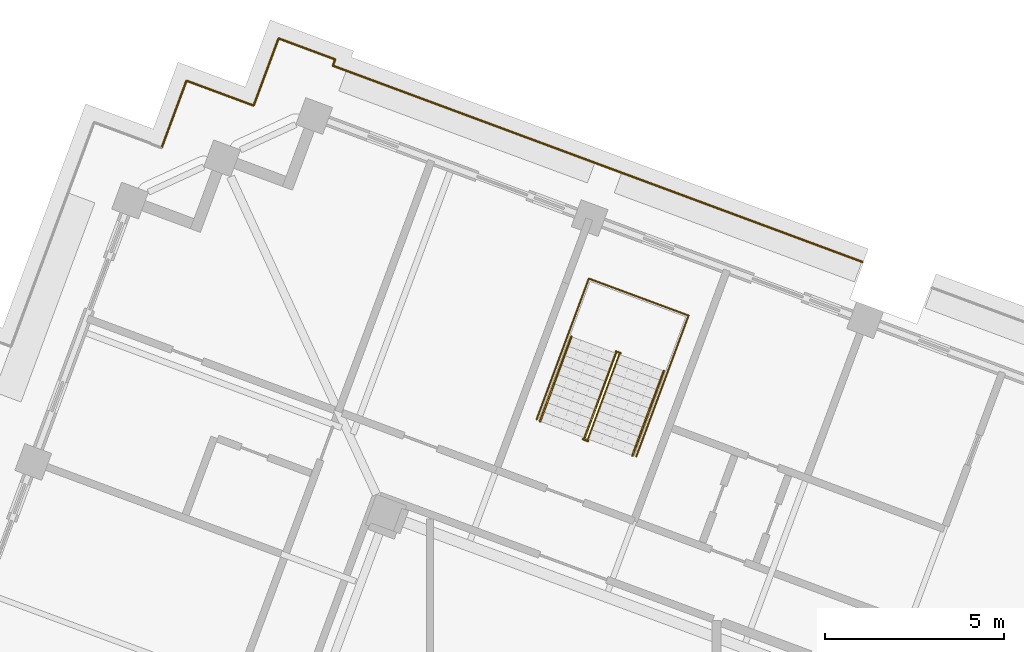
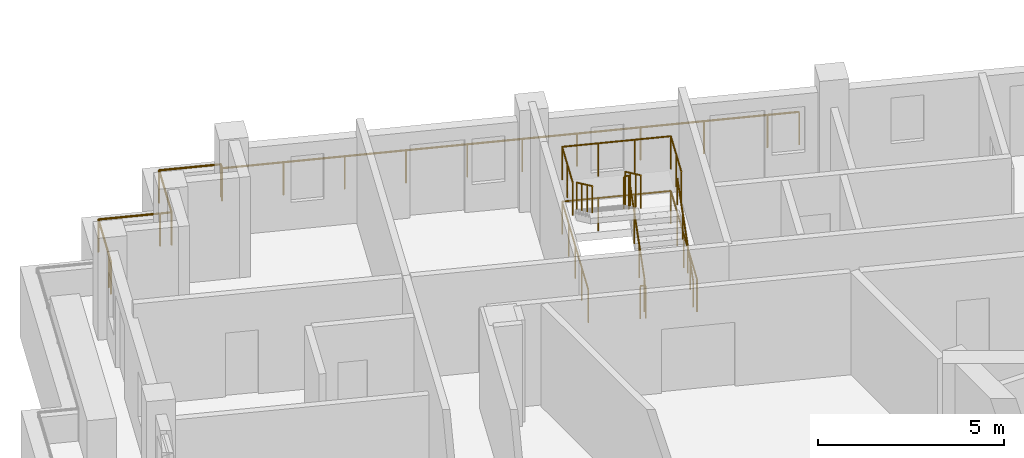
# One storey, part 16 of 18: 8 railings.
"""IFC4 building model written with IfcOpenShell, lengths in metres."""

from ifc_helpers import new_model, si_unit, direction, frame, origin, origin_2d, place, context, subcontext, project, spatial, circle, extrude, material, type_object, element, save


model = new_model("IFC4")

# Units and contexts
model_context = context("Model", 3, precision=1e-05, world=origin(), true_north=direction((0.0, 1.0)))
body_context = subcontext(model_context, "Body", "Model", "MODEL_VIEW")
ifc_project = project(units=[si_unit("LENGTHUNIT", "METRE"), si_unit("AREAUNIT", "SQUARE_METRE"), si_unit("VOLUMEUNIT", "CUBIC_METRE"), si_unit("PLANEANGLEUNIT", "RADIAN"), si_unit("MASSUNIT", "GRAM", prefix="KILO")], contexts=[model_context])

# Site, building, storey
site_placement = place(None, origin())
site = spatial("IfcSite", under=ifc_project, at=site_placement, CompositionType="ELEMENT")
building_placement = place(site_placement, origin())
building = spatial("IfcBuilding", under=site, at=building_placement, Name="Cantera Rosa Tower", CompositionType="ELEMENT")
storey_placement = place(building_placement, frame((0.0, 0.0, 316.89990234375)))
storey = spatial("IfcBuildingStorey", under=building, at=storey_placement, Name="L70", CompositionType="ELEMENT", Elevation=316.89990234375)

# Railings
ifc_material_1 = material(Name="Stainless steel and laminated glass", Category="steel")
railing_type_1 = type_object("IfcRailingType", Name="GUARD 1100", PredefinedType="BALUSTRADE", material=ifc_material_1)
railing_1_placement = place(storey_placement, frame((-11.490478515625, 26.799560546875, 0.0)))
element("IfcRailing", 1, at=railing_1_placement, inside=storey, type_object=railing_type_1, Name="GUARD L70-3", PredefinedType="BALUSTRADE", context=body_context, shape_type="SweptSolid", body=[
    extrude(circle(Radius=0.030029296875, at=origin_2d()), frame((0.0, 0.0, 1.070068359375), z_axis=(0.346933448503, 0.937889749549, 0.0), x_axis=(-0.937889749549, 0.346933448503, 0.0)), (0.0, 0.0, 1.0), 0.313232421875),
    extrude(circle(Radius=0.030029296875, at=origin_2d()), frame((0.108642578125, 0.293701171875, 1.070068359375), z_axis=(0.347488755066, 0.937684149969, 0.0), x_axis=(-0.937684149969, 0.347488755066, 0.0)), (0.0, 0.0, 1.0), 1.68701171875),
    extrude(circle(Radius=0.030029296875, at=origin_2d()), frame((0.69482421875, 1.87548828125, 1.070068359375), z_axis=(0.937684149969, -0.347488755066, 0.0), x_axis=(0.347488755066, 0.937684149969, 0.0)), (0.0, 0.0, 1.0), 1.68701171875),
    extrude(circle(Radius=0.030029296875, at=origin_2d()), frame((2.276611328125, 1.289306640625, 1.070068359375), z_axis=(0.937635888853, -0.347618957962, 0.0), x_axis=(0.347618957962, 0.937635888853, 0.0)), (0.0, 0.0, 1.0), 0.313232421875),
    extrude(circle(Radius=0.030029296875, at=origin_2d()), frame((2.5703125, 1.180419921875, 1.070068359375), z_axis=(0.347401818267, 0.937716362588, 0.0), x_axis=(-0.937716362588, 0.347401818267, 0.0)), (0.0, 0.0, 1.0), 2.0),
    extrude(circle(Radius=0.030029296875, at=origin_2d()), frame((3.26513671875, 3.055908203125, 1.070068359375), z_axis=(0.937684149969, -0.347488755066, 0.0), x_axis=(0.347488755066, 0.937684149969, 0.0)), (0.0, 0.0, 1.0), 1.68701171875),
    extrude(circle(Radius=0.030029296875, at=origin_2d()), frame((4.846923828125, 2.4697265625, 1.070068359375), z_axis=(-0.347399426404, -0.937717248713, 0.0), x_axis=(0.937717248713, -0.347399426404, 0.0)), (0.0, 0.0, 1.0), 0.18701171875),
    extrude(circle(Radius=0.030029296875, at=origin_2d()), frame((4.781982421875, 2.29443359375, 1.070068359375), z_axis=(0.937686328856, -0.347482875373, 0.0), x_axis=(0.347482875373, 0.937686328856, 0.0)), (0.0, 0.0, 1.0), 6.699951171875),
    extrude(circle(Radius=0.030029296875, at=origin_2d()), frame((11.064453125, -0.03369140625, 1.070068359375), z_axis=(0.93768985062, -0.347473371704, 0.0), x_axis=(0.347473371704, 0.93768985062, 0.0)), (0.0, 0.0, 1.0), 3.000244140625),
    extrude(circle(Radius=0.030029296875, at=origin_2d()), frame((13.877685546875, -1.076171875, 1.070068359375), z_axis=(0.937688147358, -0.347477968085, 0.0), x_axis=(0.347477968085, 0.937688147358, 0.0)), (0.0, 0.0, 1.0), 5.199951171875),
    extrude(circle(Radius=0.030029296875, at=origin_2d()), frame((18.753662109375, -2.883056640625, 1.070068359375), z_axis=(0.937694580373, -0.347460607753, 0.0), x_axis=(0.347460607753, 0.937694580373, 0.0)), (0.0, 0.0, 1.0), 0.869873046875),
    extrude(circle(Radius=0.02490234375, at=origin_2d()), origin(), (0.0, 0.0, 1.0), 1.0400390625),
    extrude(circle(Radius=0.02490234375, at=origin_2d()), frame((0.108642578125, 0.293701171875, 0.0)), (0.0, 0.0, 1.0), 1.0400390625),
    extrude(circle(Radius=0.02490234375, at=origin_2d()), frame((0.69482421875, 1.87548828125, 0.0)), (0.0, 0.0, 1.0), 1.0400390625),
    extrude(circle(Radius=0.02490234375, at=origin_2d()), frame((2.276611328125, 1.289306640625, 0.0)), (0.0, 0.0, 1.0), 1.0400390625),
    extrude(circle(Radius=0.02490234375, at=origin_2d()), frame((2.5703125, 1.180419921875, 0.0)), (0.0, 0.0, 1.0), 1.0400390625),
    extrude(circle(Radius=0.02490234375, at=origin_2d()), frame((3.26513671875, 3.055908203125, 0.0)), (0.0, 0.0, 1.0), 1.0400390625),
    extrude(circle(Radius=0.02490234375, at=origin_2d()), frame((4.846923828125, 2.4697265625, 0.0)), (0.0, 0.0, 1.0), 1.0400390625),
    extrude(circle(Radius=0.02490234375, at=origin_2d()), frame((4.781982421875, 2.29443359375, 0.0)), (0.0, 0.0, 1.0), 1.0400390625),
    extrude(circle(Radius=0.02490234375, at=origin_2d()), frame((6.3525390625, 1.71240234375, 0.0)), (0.0, 0.0, 1.0), 1.0400390625),
    extrude(circle(Radius=0.02490234375, at=origin_2d()), frame((7.92333984375, 1.13037109375, 0.0)), (0.0, 0.0, 1.0), 1.0400390625),
    extrude(circle(Radius=0.02490234375, at=origin_2d()), frame((9.493896484375, 0.54833984375, 0.0)), (0.0, 0.0, 1.0), 1.0400390625),
    extrude(circle(Radius=0.02490234375, at=origin_2d()), frame((11.064453125, -0.03369140625, 0.0)), (0.0, 0.0, 1.0), 1.0400390625),
    extrude(circle(Radius=0.02490234375, at=origin_2d()), frame((12.47119140625, -0.554931640625, 0.0)), (0.0, 0.0, 1.0), 1.0400390625),
    extrude(circle(Radius=0.02490234375, at=origin_2d()), frame((13.877685546875, -1.076171875, 0.0)), (0.0, 0.0, 1.0), 1.0400390625),
    extrude(circle(Radius=0.02490234375, at=origin_2d()), frame((15.5029296875, -1.678466796875, 0.0)), (0.0, 0.0, 1.0), 1.0400390625),
    extrude(circle(Radius=0.02490234375, at=origin_2d()), frame((17.12841796875, -2.28076171875, 0.0)), (0.0, 0.0, 1.0), 1.0400390625),
    extrude(circle(Radius=0.02490234375, at=origin_2d()), frame((18.753662109375, -2.883056640625, 0.0)), (0.0, 0.0, 1.0), 1.0400390625),
    extrude(circle(Radius=0.02490234375, at=origin_2d()), frame((19.5693359375, -3.185302734375, 0.0)), (0.0, 0.0, 1.0), 1.0400390625),
])
ifc_material_2 = material(Name="Steel S355J2 (EN 10025-2)", Category="steel")
railing_type_2 = type_object("IfcRailingType", Name="STAIR GUARD 1100", PredefinedType="GUARDRAIL", material=ifc_material_2)
railing_2_placement = place(storey_placement, frame((0.412109375, 18.670166015625, 0.18017578125)))
element("IfcRailing", 2, at=railing_2_placement, inside=storey, type_object=railing_type_2, Name="L70 ST-62 stair guard 1", PredefinedType="GUARDRAIL", context=body_context, shape_type="SweptSolid", body=[
    extrude(circle(Radius=0.02392578125, at=origin_2d()), frame((0.0, 0.0, 1.076171875), z_axis=(0.292319685639, 0.78878233546, 0.540713998944), x_axis=(-0.937679794265, 0.347500508527, 0.0)), (0.0, 0.0, 1.0), 2.995849609375),
    extrude(circle(Radius=0.02392578125, at=origin_2d()), frame((0.875732421875, 2.363037109375, 2.69580078125), z_axis=(0.740919573429, 0.671593765389, 0.0), x_axis=(-0.671593765389, 0.740919573429, 0.0)), (0.0, 0.0, 1.0), 0.056396484375),
    extrude(circle(Radius=0.02392578125, at=origin_2d()), frame((0.91748046875, 2.40087890625, 2.69580078125), z_axis=(-0.937925419525, 0.346837004095, 0.0), x_axis=(-0.346837004095, -0.937925419525, 0.0)), (0.0, 0.0, 1.0), 0.14990234375),
    extrude(circle(Radius=0.02099609375, at=origin_2d()), origin(), (0.0, 0.0, 1.0), 1.052001953125),
    extrude(circle(Radius=0.02099609375, at=origin_2d()), frame((0.2919921875, 0.78759765625, 0.5400390625)), (0.0, 0.0, 1.0), 1.052001953125),
    extrude(circle(Radius=0.02099609375, at=origin_2d()), frame((0.583740234375, 1.575439453125, 1.079833984375)), (0.0, 0.0, 1.0), 1.052001953125),
    extrude(circle(Radius=0.02099609375, at=origin_2d()), frame((0.875732421875, 2.363037109375, 1.619873046875)), (0.0, 0.0, 1.0), 1.052001953125),
    extrude(circle(Radius=0.02099609375, at=origin_2d()), frame((0.91748046875, 2.40087890625, 1.619873046875)), (0.0, 0.0, 1.0), 1.052001953125),
    extrude(circle(Radius=0.02099609375, at=origin_2d()), frame((0.77685546875, 2.452880859375, 1.619873046875)), (0.0, 0.0, 1.0), 1.052001953125),
])
railing_3_placement = place(storey_placement, frame((1.196044921875, 21.067138671875, 1.97998046875)))
element("IfcRailing", 3, at=railing_3_placement, inside=storey, type_object=railing_type_2, Name="L70 ST-62 stair guard 2", PredefinedType="GUARDRAIL", context=body_context, shape_type="SweptSolid", body=[
    extrude(circle(Radius=0.02392578125, at=origin_2d()), frame((0.0, 0.0, 1.076171875), z_axis=(-0.292306804437, -0.788747577403, 0.540771662738), x_axis=(0.937679794265, -0.347500508527, 0.0)), (0.0, 0.0, 1.0), 2.995849609375),
    extrude(circle(Radius=0.02099609375, at=origin_2d()), origin(), (0.0, 0.0, 1.0), 1.052001953125),
    extrude(circle(Radius=0.02099609375, at=origin_2d()), frame((-0.2919921875, -0.78759765625, 0.5400390625)), (0.0, 0.0, 1.0), 1.052001953125),
    extrude(circle(Radius=0.02099609375, at=origin_2d()), frame((-0.583740234375, -1.575439453125, 1.080078125)), (0.0, 0.0, 1.0), 1.052001953125),
    extrude(circle(Radius=0.02099609375, at=origin_2d()), frame((-0.875732421875, -2.363037109375, 1.6201171875)), (0.0, 0.0, 1.0), 1.052001953125),
])
railing_4_placement = place(storey_placement, frame((0.419189453125, 18.6142578125, 0.0)))
element("IfcRailing", 4, at=railing_4_placement, inside=storey, type_object=railing_type_2, Name="L70 ST-62 stair guard 3", PredefinedType="GUARDRAIL", context=body_context, shape_type="SweptSolid", body=[
    extrude(circle(Radius=0.02392578125, at=origin_2d()), frame((0.0, 0.0, 1.076171875), z_axis=(-0.937925419525, 0.346837004095, 0.0), x_axis=(-0.346837004095, -0.937925419525, 0.0)), (0.0, 0.0, 1.0), 0.14990234375),
    extrude(circle(Radius=0.02099609375, at=origin_2d()), origin(), (0.0, 0.0, 1.0), 1.052001953125),
    extrude(circle(Radius=0.02099609375, at=origin_2d()), frame((-0.140625, 0.052001953125, 0.0)), (0.0, 0.0, 1.0), 1.052001953125),
])
railing_5_placement = place(storey_placement, frame((1.762939453125, 18.182373046875, 0.0)))
element("IfcRailing", 5, at=railing_5_placement, inside=storey, type_object=railing_type_2, Name="L70 ST-62 stair guard 4", PredefinedType="GUARDRAIL", context=body_context, shape_type="SweptSolid", body=[
    extrude(circle(Radius=0.02392578125, at=origin_2d()), frame((0.0, 0.0, 1.076171875), z_axis=(0.347475346394, 0.937689118871, 0.0), x_axis=(-0.937689118871, 0.347475346394, 0.0)), (0.0, 0.0, 1.0), 4.197998046875),
    extrude(circle(Radius=0.02392578125, at=origin_2d()), frame((1.458740234375, 3.9365234375, 1.076171875), z_axis=(-0.937690243436, 0.347472311651, 0.0), x_axis=(-0.347472311651, -0.937690243436, 0.0)), (0.0, 0.0, 1.0), 2.969970703125),
    extrude(circle(Radius=0.02392578125, at=origin_2d()), frame((-1.326171875, 4.968505859375, 1.076171875), z_axis=(-0.347475346394, -0.937689118871, 0.0), x_axis=(0.937689118871, -0.347475346394, 0.0)), (0.0, 0.0, 1.0), 4.197998046875),
    extrude(circle(Radius=0.02099609375, at=origin_2d()), origin(), (0.0, 0.0, 1.0), 1.052001953125),
    extrude(circle(Radius=0.02099609375, at=origin_2d()), frame((0.36474609375, 0.984130859375, 0.0)), (0.0, 0.0, 1.0), 1.052001953125),
    extrude(circle(Radius=0.02099609375, at=origin_2d()), frame((0.7294921875, 1.96826171875, 0.0)), (0.0, 0.0, 1.0), 1.052001953125),
    extrude(circle(Radius=0.02099609375, at=origin_2d()), frame((1.093994140625, 2.952392578125, 0.0)), (0.0, 0.0, 1.0), 1.052001953125),
    extrude(circle(Radius=0.02099609375, at=origin_2d()), frame((1.458740234375, 3.9365234375, 0.0)), (0.0, 0.0, 1.0), 1.052001953125),
    extrude(circle(Radius=0.02099609375, at=origin_2d()), frame((0.530517578125, 4.280517578125, 0.0)), (0.0, 0.0, 1.0), 1.052001953125),
    extrude(circle(Radius=0.02099609375, at=origin_2d()), frame((-0.39794921875, 4.62451171875, 0.0)), (0.0, 0.0, 1.0), 1.052001953125),
    extrude(circle(Radius=0.02099609375, at=origin_2d()), frame((-1.326171875, 4.968505859375, 0.0)), (0.0, 0.0, 1.0), 1.052001953125),
    extrude(circle(Radius=0.02099609375, at=origin_2d()), frame((-1.69091796875, 3.984375, 0.0)), (0.0, 0.0, 1.0), 1.052001953125),
    extrude(circle(Radius=0.02099609375, at=origin_2d()), frame((-2.0556640625, 3.000244140625, 0.0)), (0.0, 0.0, 1.0), 1.052001953125),
    extrude(circle(Radius=0.02099609375, at=origin_2d()), frame((-2.420166015625, 2.01611328125, 0.0)), (0.0, 0.0, 1.0), 1.052001953125),
    extrude(circle(Radius=0.02099609375, at=origin_2d()), frame((-2.784912109375, 1.031982421875, 0.0)), (0.0, 0.0, 1.0), 1.052001953125),
])
railing_6_placement = place(storey_placement, frame((2.630126953125, 20.52294921875, 1.800048828125)))
element("IfcRailing", 6, at=railing_6_placement, inside=storey, type_object=railing_type_2, Name="L70 ST-62 stair guard 5", PredefinedType="GUARDRAIL", context=body_context, shape_type="SweptSolid", body=[
    extrude(circle(Radius=0.02392578125, at=origin_2d()), frame((0.0, 0.0, 1.076171875), z_axis=(0.347552602091, 0.937660486946, 0.0), x_axis=(-0.937660486946, 0.347552602091, 0.0)), (0.0, 0.0, 1.0), 1.7021484375),
    extrude(circle(Radius=0.02392578125, at=origin_2d()), frame((0.591552734375, 1.595947265625, 1.076171875), z_axis=(-0.937690243436, 0.347472311651, 0.0), x_axis=(-0.347472311651, -0.937690243436, 0.0)), (0.0, 0.0, 1.0), 2.969970703125),
    extrude(circle(Radius=0.02392578125, at=origin_2d()), frame((-2.193359375, 2.6279296875, 1.076171875), z_axis=(-0.347552602091, -0.937660486946, 0.0), x_axis=(0.937660486946, -0.347552602091, 0.0)), (0.0, 0.0, 1.0), 1.7021484375),
    extrude(circle(Radius=0.02099609375, at=origin_2d()), origin(), (0.0, 0.0, 1.0), 1.052001953125),
    extrude(circle(Radius=0.02099609375, at=origin_2d()), frame((0.2958984375, 0.7978515625, 0.0)), (0.0, 0.0, 1.0), 1.052001953125),
    extrude(circle(Radius=0.02099609375, at=origin_2d()), frame((0.591552734375, 1.595947265625, 0.0)), (0.0, 0.0, 1.0), 1.052001953125),
    extrude(circle(Radius=0.02099609375, at=origin_2d()), frame((-0.336669921875, 1.93994140625, 0.0)), (0.0, 0.0, 1.0), 1.052001953125),
    extrude(circle(Radius=0.02099609375, at=origin_2d()), frame((-1.26513671875, 2.283935546875, 0.0)), (0.0, 0.0, 1.0), 1.052001953125),
    extrude(circle(Radius=0.02099609375, at=origin_2d()), frame((-2.193359375, 2.6279296875, 0.0)), (0.0, 0.0, 1.0), 1.052001953125),
    extrude(circle(Radius=0.02099609375, at=origin_2d()), frame((-2.4892578125, 1.830078125, 0.0)), (0.0, 0.0, 1.0), 1.052001953125),
    extrude(circle(Radius=0.02099609375, at=origin_2d()), frame((-2.784912109375, 1.031982421875, 0.0)), (0.0, 0.0, 1.0), 1.052001953125),
])
ifc_material_3 = material(Name="Steel S355J2 (EN 10025-2)", Category="steel")
railing_type_3 = type_object("IfcRailingType", Name="STAIR HANDRAIL 900", PredefinedType="HANDRAIL", material=ifc_material_3)
railing_7_placement = place(storey_placement, frame((1.655517578125, 18.20947265625, 0.18017578125)))
element("IfcRailing", 7, at=railing_7_placement, inside=storey, type_object=railing_type_3, Name="L70 ST-62 stair handrail 1", PredefinedType="HANDRAIL", context=body_context, shape_type="SweptSolid", body=[
    extrude(circle(Radius=0.02392578125, at=origin_2d()), frame((0.0, 0.0, 0.8759765625), z_axis=(0.292338477135, 0.788751542156, 0.540748758236), x_axis=(-0.937668094043, 0.347532078253, 0.0)), (0.0, 0.0, 1.0), 2.99560546875),
    extrude(circle(Radius=0.02099609375, at=origin_2d()), origin(), (0.0, 0.0, 1.0), 0.851806640625),
    extrude(circle(Radius=0.02099609375, at=origin_2d()), frame((0.2919921875, 0.78759765625, 0.5400390625)), (0.0, 0.0, 1.0), 0.851806640625),
    extrude(circle(Radius=0.02099609375, at=origin_2d()), frame((0.583740234375, 1.5751953125, 1.079833984375)), (0.0, 0.0, 1.0), 0.851806640625),
    extrude(circle(Radius=0.02099609375, at=origin_2d()), frame((0.875732421875, 2.36279296875, 1.619873046875)), (0.0, 0.0, 1.0), 0.851806640625),
])
railing_8_placement = place(storey_placement, frame((-0.04736328125, 21.52783203125, 1.97998046875)))
element("IfcRailing", 8, at=railing_8_placement, inside=storey, type_object=railing_type_3, Name="L70 ST-62 stair handrail 2", PredefinedType="HANDRAIL", context=body_context, shape_type="SweptSolid", body=[
    extrude(circle(Radius=0.02392578125, at=origin_2d()), frame((0.0, 0.0, 0.8759765625), z_axis=(-0.292325593449, -0.788716780987, 0.540806422673), x_axis=(0.937668094043, -0.347532078253, 0.0)), (0.0, 0.0, 1.0), 2.995849609375),
    extrude(circle(Radius=0.02099609375, at=origin_2d()), origin(), (0.0, 0.0, 1.0), 0.851806640625),
    extrude(circle(Radius=0.02099609375, at=origin_2d()), frame((-0.2919921875, -0.78759765625, 0.5400390625)), (0.0, 0.0, 1.0), 0.851806640625),
    extrude(circle(Radius=0.02099609375, at=origin_2d()), frame((-0.583740234375, -1.5751953125, 1.080078125)), (0.0, 0.0, 1.0), 0.851806640625),
    extrude(circle(Radius=0.02099609375, at=origin_2d()), frame((-0.875732421875, -2.36279296875, 1.6201171875)), (0.0, 0.0, 1.0), 0.851806640625),
])

save(model, "model.ifc")
